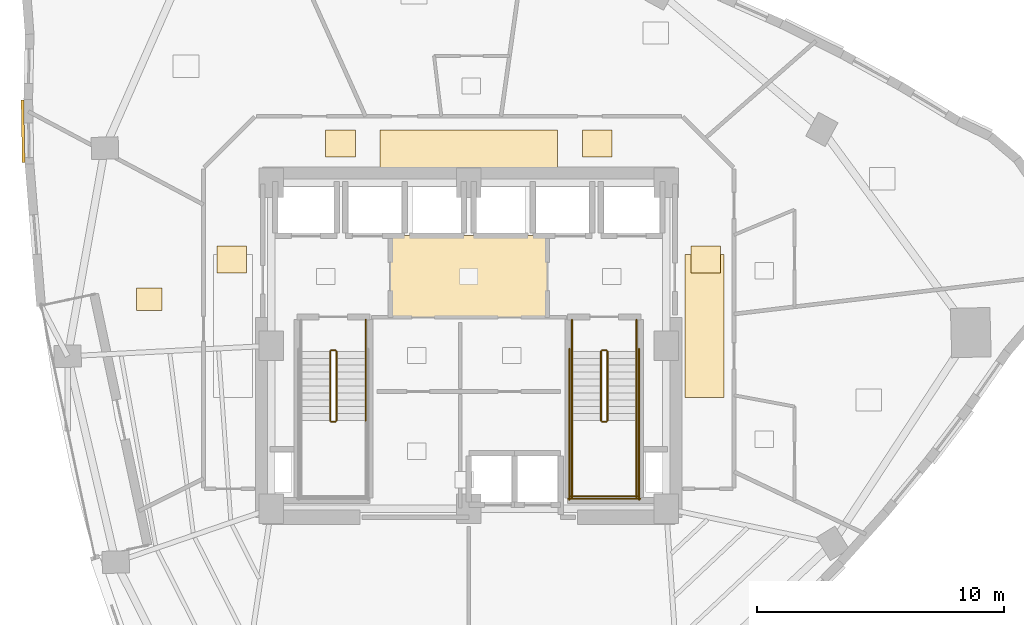
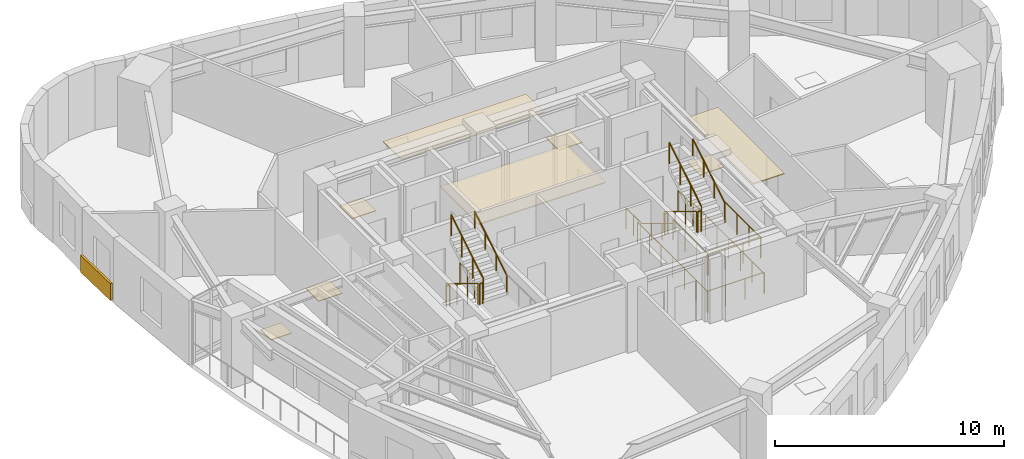
# One storey, part 11 of 12: 20 railings, 9 coverings.
"""IFC4 building model written with IfcOpenShell, lengths in metres."""

from ifc_helpers import new_model, si_unit, direction, frame, origin, origin_2d, place, context, subcontext, project, spatial, rectangle, circle, extrude, material, layer, layer_set, type_object, element, save


model = new_model("IFC4")

# Units and contexts
model_context = context("Model", 3, precision=1e-05, world=origin(), true_north=direction((0.0, 1.0)))
body_context = subcontext(model_context, "Body", "Model", "MODEL_VIEW")
ifc_project = project(units=[si_unit("LENGTHUNIT", "METRE"), si_unit("AREAUNIT", "SQUARE_METRE"), si_unit("VOLUMEUNIT", "CUBIC_METRE"), si_unit("PLANEANGLEUNIT", "RADIAN"), si_unit("MASSUNIT", "GRAM", prefix="KILO")], contexts=[model_context])

# Site, building, storey
site_placement = place(None, origin())
site = spatial("IfcSite", under=ifc_project, at=site_placement, CompositionType="ELEMENT")
building_placement = place(site_placement, origin())
building = spatial("IfcBuilding", under=site, at=building_placement, Name="Ndelora Gate Hotel", CompositionType="ELEMENT")
storey_placement = place(building_placement, frame((0.0, 0.0, 164.75)))
storey = spatial("IfcBuildingStorey", under=building, at=storey_placement, Name="L41", CompositionType="ELEMENT", Elevation=164.75)

# Coverings
ifc_material_1 = material(Name="Perforated Acoustic Gypsum Board", Category="gypsum")
ifc_layer_1 = layer(ifc_material_1, 0.054931640625)
ifc_layer_set_1 = layer_set([ifc_layer_1], Name="Perforated Acoustic Gypsum Board")
covering_type_1 = type_object("IfcCoveringType", Name="COV-CEIL-AC60", PredefinedType="CEILING", material=ifc_layer_set_1)
covering_1_placement = place(storey_placement, frame((0.0, 2.800048828125, 2.72265625), z_axis=(0.0, 0.0, 1.0), x_axis=(1.0, 0.0, 0.0)))
element("IfcCovering", 1, at=covering_1_placement, inside=storey, type_object=covering_type_1, Name="L41 Lift Lobby Acoustic Ceiling", PredefinedType="CEILING", context=body_context, shape_type="SweptSolid", body=[
    extrude(rectangle(XDim=6.39990234375, YDim=3.340087890625, at=origin_2d()), origin(), (0.0, 0.0, 1.0), 0.054931640625),
])
covering_2_placement = place(storey_placement, frame((0.0, 7.9599609375, 2.65234375), z_axis=(0.0, 0.0, 1.0), x_axis=(1.0, 0.0, 0.0)))
element("IfcCovering", 2, at=covering_2_placement, inside=storey, type_object=covering_type_1, Name="L41 Guest Corridor Acoustic Ceiling N", PredefinedType="CEILING", context=body_context, shape_type="SweptSolid", body=[
    extrude(rectangle(XDim=7.199951171875, YDim=1.580078125, at=origin_2d()), origin(), (0.0, 0.0, 1.0), 0.054931640625),
])
covering_3_placement = place(storey_placement, frame((9.550048828125, 0.800048828125, 2.65234375), z_axis=(0.0, 0.0, 1.0), x_axis=(1.0, 0.0, 0.0)))
element("IfcCovering", 3, at=covering_3_placement, inside=storey, type_object=covering_type_1, Name="L41 Guest Corridor Acoustic Ceiling E", PredefinedType="CEILING", context=body_context, shape_type="SweptSolid", body=[
    extrude(rectangle(XDim=1.580078125, YDim=5.800048828125, at=origin_2d()), origin(), (0.0, 0.0, 1.0), 0.054931640625),
])
ifc_material_2 = material(Name="Terracotta Fired Clay Brick Slip Cladding", Category="masonry")
ifc_layer_2 = layer(ifc_material_2, 0.110107421875)
ifc_layer_set_2 = layer_set([ifc_layer_2], Name="Terracotta Fired Clay Brick Slip Cladding")
covering_type_2 = type_object("IfcCoveringType", Name="COV-CLAD-BRK", PredefinedType="CLADDING", material=ifc_layer_set_2)
covering_4_placement = place(storey_placement, frame((-18.064697265625, 8.694580078125, 0.10009765625), z_axis=(0.0, 0.0, 1.0), x_axis=(-0.01797592305, 0.999838420041, 0.0)))
element("IfcCovering", 4, at=covering_4_placement, inside=storey, type_object=covering_type_2, Name="L41 Rounded-Corner Brick Cladding Band 10", PredefinedType="CLADDING", context=body_context, shape_type="SweptSolid", body=[
    extrude(rectangle(XDim=2.52001953125, YDim=0.110107421875, at=origin_2d()), origin(), (0.0, 0.0, 1.0), 0.89990234375),
])
ifc_material_3 = material(Name="Engineered Highland Oak Parquet", Category="wood")
ifc_layer_3 = layer(ifc_material_3, 0.030029296875)
ifc_layer_set_3 = layer_set([ifc_layer_3], Name="Engineered Highland Oak Parquet")
covering_type_3 = type_object("IfcCoveringType", Name="COV-FLR-PARQ", PredefinedType="FLOORING", material=ifc_layer_set_3)
covering_5_placement = place(storey_placement, frame((-12.948486328125, 1.88818359375, 0.0), z_axis=(0.0, 0.0, 1.0), x_axis=(1.0, 0.0, 0.0)))
element("IfcCovering", 5, at=covering_5_placement, inside=storey, type_object=covering_type_3, Name="L41 Sky Garden Tea Dining Room Oak Parquet Flooring", PredefinedType="FLOORING", context=body_context, shape_type="SweptSolid", body=[
    extrude(rectangle(XDim=1.050048828125, YDim=0.89990234375, at=origin_2d()), origin(), (0.0, 0.0, 1.0), 0.030029296875),
])
ifc_material_4 = material(Name="Polished Highland Stone Terrazzo", Category="masonry")
ifc_layer_4 = layer(ifc_material_4, 0.034912109375)
ifc_layer_set_4 = layer_set([ifc_layer_4], Name="Polished Highland Stone Terrazzo")
covering_type_4 = type_object("IfcCoveringType", Name="COV-FLR-TERZ", PredefinedType="FLOORING", material=ifc_layer_set_4)
for number, where, z_axis, x_axis, name in (
    (6, (-5.199951171875, 8.199951171875, 0.0), (0.0, 0.0, 1.0), (1.0, 0.0, 0.0), "L41 Corridor Threshold Terrazzo Inlay NW"),
    (7, (5.199951171875, 8.199951171875, 0.0), (0.0, 0.0, 1.0), (1.0, 0.0, 0.0), "L41 Corridor Threshold Terrazzo Inlay NE"),
    (8, (-9.60009765625, 3.5, 0.0), (0.0, 0.0, 1.0), (1.0, 0.0, 0.0), "L41 Corridor Threshold Terrazzo Inlay W"),
    (9, (9.60009765625, 3.5, 0.0), (0.0, 0.0, 1.0), (1.0, 0.0, 0.0), "L41 Corridor Threshold Terrazzo Inlay E"),
):
    element("IfcCovering", number, at=place(storey_placement, frame(where, z_axis=z_axis, x_axis=x_axis)), inside=storey, type_object=covering_type_4, Name=name, PredefinedType="FLOORING", context=body_context, shape_type="SweptSolid", body=[
        extrude(rectangle(XDim=1.199951171875, YDim=1.10009765625, at=origin_2d()), origin(), (0.0, 0.0, 1.0), 0.034912109375),
    ])

# Railings
ifc_material_5 = material(Name="Painted Galvanized Steel Balustrade", Category="steel")
ifc_layer_5 = layer(ifc_material_5, 0.06005859375)
ifc_layer_set_5 = layer_set([ifc_layer_5], Name="Painted Galvanized Steel Balustrade")
railing_type_1 = type_object("IfcRailingType", Name="RL-STAIR-GD", PredefinedType="GUARDRAIL", material=ifc_layer_set_5)
railing_1_placement = place(storey_placement, frame((-5.6201171875, -0.22998046875, 0.17041015625)))
element("IfcRailing", 10, at=railing_1_placement, inside=storey, type_object=railing_type_1, Name="L41 ST4 stair guard 1", PredefinedType="GUARDRAIL", context=body_context, shape_type="SweptSolid", body=[
    extrude(circle(Radius=0.02392578125, at=origin_2d()), frame((0.0, 0.0, 1.10595703125), z_axis=(0.0, -0.854169791009, 0.51999420009), x_axis=(1.0, 0.0, 0.0)), (0.0, 0.0, 1.0), 3.278076171875),
    extrude(circle(Radius=0.02099609375, at=origin_2d()), origin(), (0.0, 0.0, 1.0), 1.081787109375),
    extrude(circle(Radius=0.02099609375, at=origin_2d()), frame((0.0, -0.933349609375, 0.568115234375)), (0.0, 0.0, 1.0), 1.081787109375),
    extrude(circle(Radius=0.02099609375, at=origin_2d()), frame((0.0, -1.86669921875, 1.136474609375)), (0.0, 0.0, 1.0), 1.081787109375),
    extrude(circle(Radius=0.02099609375, at=origin_2d()), frame((0.0, -2.800048828125, 1.70458984375)), (0.0, 0.0, 1.0), 1.081787109375),
])
railing_2_placement = place(storey_placement, frame((-5.570068359375, -3.080078125, 1.875)))
element("IfcRailing", 11, at=railing_2_placement, inside=storey, type_object=railing_type_1, Name="L41 ST4 stair guard 2", PredefinedType="GUARDRAIL", context=body_context, shape_type="SweptSolid", body=[
    extrude(circle(Radius=0.02392578125, at=origin_2d()), frame((0.0, 0.0, 1.10595703125), z_axis=(1.0, 0.0, 0.0), x_axis=(0.0, 1.0, 0.0)), (0.0, 0.0, 1.0), 0.16015625),
    extrude(circle(Radius=0.02099609375, at=origin_2d()), origin(), (0.0, 0.0, 1.0), 1.081787109375),
    extrude(circle(Radius=0.02099609375, at=origin_2d()), frame((0.16015625, 0.0, 0.0)), (0.0, 0.0, 1.0), 1.081787109375),
])
railing_3_placement = place(storey_placement, frame((-5.360107421875, -3.030029296875, 2.04541015625)))
element("IfcRailing", 12, at=railing_3_placement, inside=storey, type_object=railing_type_1, Name="L41 ST4 stair guard 6", PredefinedType="GUARDRAIL", context=body_context, shape_type="SweptSolid", body=[
    extrude(circle(Radius=0.02392578125, at=origin_2d()), frame((0.0, 0.0, 1.10595703125), z_axis=(0.0, 0.854169791009, 0.51999420009), x_axis=(-1.0, 0.0, 0.0)), (0.0, 0.0, 1.0), 3.278076171875),
    extrude(circle(Radius=0.02099609375, at=origin_2d()), origin(), (0.0, 0.0, 1.0), 1.081787109375),
    extrude(circle(Radius=0.02099609375, at=origin_2d()), frame((0.0, 0.933349609375, 0.568115234375)), (0.0, 0.0, 1.0), 1.081787109375),
    extrude(circle(Radius=0.02099609375, at=origin_2d()), frame((0.0, 1.86669921875, 1.136474609375)), (0.0, 0.0, 1.0), 1.081787109375),
    extrude(circle(Radius=0.02099609375, at=origin_2d()), frame((0.0, 2.800048828125, 1.70458984375)), (0.0, 0.0, 1.0), 1.081787109375),
])
railing_4_placement = place(storey_placement, frame((-5.570068359375, -0.179931640625, 0.0)))
element("IfcRailing", 13, at=railing_4_placement, inside=storey, type_object=railing_type_1, Name="L41 ST4 stair guard 7", PredefinedType="GUARDRAIL", context=body_context, shape_type="SweptSolid", body=[
    extrude(circle(Radius=0.02392578125, at=origin_2d()), frame((0.0, 0.0, 1.10595703125), z_axis=(1.0, 0.0, 0.0), x_axis=(0.0, 1.0, 0.0)), (0.0, 0.0, 1.0), 0.16015625),
    extrude(circle(Radius=0.02099609375, at=origin_2d()), origin(), (0.0, 0.0, 1.0), 1.081787109375),
    extrude(circle(Radius=0.02099609375, at=origin_2d()), frame((0.16015625, 0.0, 0.0)), (0.0, 0.0, 1.0), 1.081787109375),
])
railing_5_placement = place(storey_placement, frame((-4.179931640625, 1.050048828125, 0.0)))
element("IfcRailing", 14, at=railing_5_placement, inside=storey, type_object=railing_type_1, Name="L41 ST4 stair guard 9", PredefinedType="GUARDRAIL", context=body_context, shape_type="SweptSolid", body=[
    extrude(circle(Radius=0.02392578125, at=origin_2d()), frame((0.0, 0.0, 1.10595703125), z_axis=(0.0, -1.0, 0.0), x_axis=(1.0, 0.0, 0.0)), (0.0, 0.0, 1.0), 1.280029296875),
    extrude(circle(Radius=0.02099609375, at=origin_2d()), origin(), (0.0, 0.0, 1.0), 1.081787109375),
    extrude(circle(Radius=0.02099609375, at=origin_2d()), frame((0.0, -0.64013671875, 0.0)), (0.0, 0.0, 1.0), 1.081787109375),
    extrude(circle(Radius=0.02099609375, at=origin_2d()), frame((0.0, -1.280029296875, 0.0)), (0.0, 0.0, 1.0), 1.081787109375),
])
railing_6_placement = place(storey_placement, frame((5.360107421875, -0.22998046875, 0.17041015625)))
element("IfcRailing", 15, at=railing_6_placement, inside=storey, type_object=railing_type_1, Name="L41 ST5 stair guard 1", PredefinedType="GUARDRAIL", context=body_context, shape_type="SweptSolid", body=[
    extrude(circle(Radius=0.02392578125, at=origin_2d()), frame((0.0, 0.0, 1.10595703125), z_axis=(0.0, -0.854169791009, 0.51999420009), x_axis=(1.0, 0.0, 0.0)), (0.0, 0.0, 1.0), 3.278076171875),
    extrude(circle(Radius=0.02099609375, at=origin_2d()), origin(), (0.0, 0.0, 1.0), 1.081787109375),
    extrude(circle(Radius=0.02099609375, at=origin_2d()), frame((0.0, -0.933349609375, 0.568115234375)), (0.0, 0.0, 1.0), 1.081787109375),
    extrude(circle(Radius=0.02099609375, at=origin_2d()), frame((0.0, -1.86669921875, 1.136474609375)), (0.0, 0.0, 1.0), 1.081787109375),
    extrude(circle(Radius=0.02099609375, at=origin_2d()), frame((0.0, -2.800048828125, 1.70458984375)), (0.0, 0.0, 1.0), 1.081787109375),
])
railing_7_placement = place(storey_placement, frame((5.409912109375, -3.080078125, 1.875)))
element("IfcRailing", 16, at=railing_7_placement, inside=storey, type_object=railing_type_1, Name="L41 ST5 stair guard 2", PredefinedType="GUARDRAIL", context=body_context, shape_type="SweptSolid", body=[
    extrude(circle(Radius=0.02392578125, at=origin_2d()), frame((0.0, 0.0, 1.10595703125), z_axis=(1.0, 0.0, 0.0), x_axis=(0.0, 1.0, 0.0)), (0.0, 0.0, 1.0), 0.16015625),
    extrude(circle(Radius=0.02099609375, at=origin_2d()), origin(), (0.0, 0.0, 1.0), 1.081787109375),
    extrude(circle(Radius=0.02099609375, at=origin_2d()), frame((0.16015625, 0.0, 0.0)), (0.0, 0.0, 1.0), 1.081787109375),
])
for number, where, name in (
    (17, (4.179931640625, -3.030029296875, 1.875), "L41 ST5 stair guard 3"),
    (18, (6.800048828125, -3.030029296875, 1.875), "L41 ST5 stair guard 4"),
):
    element("IfcRailing", number, at=place(storey_placement, frame(where)), inside=storey, type_object=railing_type_1, Name=name, PredefinedType="GUARDRAIL", context=body_context, shape_type="SweptSolid", body=[
        extrude(circle(Radius=0.02392578125, at=origin_2d()), frame((0.0, 0.0, 1.10595703125), z_axis=(0.0, -1.0, 0.0), x_axis=(1.0, 0.0, 0.0)), (0.0, 0.0, 1.0), 3.119873046875),
        extrude(circle(Radius=0.02099609375, at=origin_2d()), origin(), (0.0, 0.0, 1.0), 1.081787109375),
        extrude(circle(Radius=0.02099609375, at=origin_2d()), frame((0.0, -1.0400390625, 0.0)), (0.0, 0.0, 1.0), 1.081787109375),
        extrude(circle(Radius=0.02099609375, at=origin_2d()), frame((0.0, -2.079833984375, 0.0)), (0.0, 0.0, 1.0), 1.081787109375),
        extrude(circle(Radius=0.02099609375, at=origin_2d()), frame((0.0, -3.119873046875, 0.0)), (0.0, 0.0, 1.0), 1.081787109375),
    ])
railing_8_placement = place(storey_placement, frame((4.1298828125, -6.10009765625, 1.875)))
element("IfcRailing", 19, at=railing_8_placement, inside=storey, type_object=railing_type_1, Name="L41 ST5 stair guard 5", PredefinedType="GUARDRAIL", context=body_context, shape_type="SweptSolid", body=[
    extrude(circle(Radius=0.02392578125, at=origin_2d()), frame((0.0, 0.0, 1.10595703125), z_axis=(1.0, 0.0, 0.0), x_axis=(0.0, 1.0, 0.0)), (0.0, 0.0, 1.0), 2.72021484375),
    extrude(circle(Radius=0.02099609375, at=origin_2d()), origin(), (0.0, 0.0, 1.0), 1.081787109375),
    extrude(circle(Radius=0.02099609375, at=origin_2d()), frame((0.90673828125, 0.0, 0.0)), (0.0, 0.0, 1.0), 1.081787109375),
    extrude(circle(Radius=0.02099609375, at=origin_2d()), frame((1.8134765625, 0.0, 0.0)), (0.0, 0.0, 1.0), 1.081787109375),
    extrude(circle(Radius=0.02099609375, at=origin_2d()), frame((2.72021484375, 0.0, 0.0)), (0.0, 0.0, 1.0), 1.081787109375),
])
railing_9_placement = place(storey_placement, frame((5.6201171875, -3.030029296875, 2.04541015625)))
element("IfcRailing", 20, at=railing_9_placement, inside=storey, type_object=railing_type_1, Name="L41 ST5 stair guard 6", PredefinedType="GUARDRAIL", context=body_context, shape_type="SweptSolid", body=[
    extrude(circle(Radius=0.02392578125, at=origin_2d()), frame((0.0, 0.0, 1.10595703125), z_axis=(0.0, 0.854169791009, 0.51999420009), x_axis=(-1.0, 0.0, 0.0)), (0.0, 0.0, 1.0), 3.278076171875),
    extrude(circle(Radius=0.02099609375, at=origin_2d()), origin(), (0.0, 0.0, 1.0), 1.081787109375),
    extrude(circle(Radius=0.02099609375, at=origin_2d()), frame((0.0, 0.933349609375, 0.568115234375)), (0.0, 0.0, 1.0), 1.081787109375),
    extrude(circle(Radius=0.02099609375, at=origin_2d()), frame((0.0, 1.86669921875, 1.136474609375)), (0.0, 0.0, 1.0), 1.081787109375),
    extrude(circle(Radius=0.02099609375, at=origin_2d()), frame((0.0, 2.800048828125, 1.70458984375)), (0.0, 0.0, 1.0), 1.081787109375),
])
railing_10_placement = place(storey_placement, frame((5.409912109375, -0.179931640625, 0.0)))
element("IfcRailing", 21, at=railing_10_placement, inside=storey, type_object=railing_type_1, Name="L41 ST5 stair guard 7", PredefinedType="GUARDRAIL", context=body_context, shape_type="SweptSolid", body=[
    extrude(circle(Radius=0.02392578125, at=origin_2d()), frame((0.0, 0.0, 1.10595703125), z_axis=(1.0, 0.0, 0.0), x_axis=(0.0, 1.0, 0.0)), (0.0, 0.0, 1.0), 0.16015625),
    extrude(circle(Radius=0.02099609375, at=origin_2d()), origin(), (0.0, 0.0, 1.0), 1.081787109375),
    extrude(circle(Radius=0.02099609375, at=origin_2d()), frame((0.16015625, 0.0, 0.0)), (0.0, 0.0, 1.0), 1.081787109375),
])
for number, where, name in (
    (22, (4.179931640625, 1.050048828125, 0.0), "L41 ST5 stair guard 8"),
    (23, (6.800048828125, 1.050048828125, 0.0), "L41 ST5 stair guard 9"),
):
    element("IfcRailing", number, at=place(storey_placement, frame(where)), inside=storey, type_object=railing_type_1, Name=name, PredefinedType="GUARDRAIL", context=body_context, shape_type="SweptSolid", body=[
        extrude(circle(Radius=0.02392578125, at=origin_2d()), frame((0.0, 0.0, 1.10595703125), z_axis=(0.0, -1.0, 0.0), x_axis=(1.0, 0.0, 0.0)), (0.0, 0.0, 1.0), 1.280029296875),
        extrude(circle(Radius=0.02099609375, at=origin_2d()), origin(), (0.0, 0.0, 1.0), 1.081787109375),
        extrude(circle(Radius=0.02099609375, at=origin_2d()), frame((0.0, -0.64013671875, 0.0)), (0.0, 0.0, 1.0), 1.081787109375),
        extrude(circle(Radius=0.02099609375, at=origin_2d()), frame((0.0, -1.280029296875, 0.0)), (0.0, 0.0, 1.0), 1.081787109375),
    ])
for number, where, name in (
    (24, (4.080078125, -0.1298828125, 0.0), "L41 ST5 stair guard 10"),
    (25, (6.89990234375, -0.1298828125, 0.0), "L41 ST5 stair guard 11"),
):
    element("IfcRailing", number, at=place(storey_placement, frame(where)), inside=storey, type_object=railing_type_1, Name=name, PredefinedType="GUARDRAIL", context=body_context, shape_type="SweptSolid", body=[
        extrude(circle(Radius=0.02392578125, at=origin_2d()), frame((0.0, 0.0, 1.10595703125), z_axis=(0.0, -1.0, 0.0), x_axis=(1.0, 0.0, 0.0)), (0.0, 0.0, 1.0), 6.1201171875),
        extrude(circle(Radius=0.02099609375, at=origin_2d()), origin(), (0.0, 0.0, 1.0), 1.081787109375),
        extrude(circle(Radius=0.02099609375, at=origin_2d()), frame((0.0, -1.02001953125, 0.0)), (0.0, 0.0, 1.0), 1.081787109375),
        extrude(circle(Radius=0.02099609375, at=origin_2d()), frame((0.0, -2.0400390625, 0.0)), (0.0, 0.0, 1.0), 1.081787109375),
        extrude(circle(Radius=0.02099609375, at=origin_2d()), frame((0.0, -3.06005859375, 0.0)), (0.0, 0.0, 1.0), 1.081787109375),
        extrude(circle(Radius=0.02099609375, at=origin_2d()), frame((0.0, -4.080078125, 0.0)), (0.0, 0.0, 1.0), 1.081787109375),
        extrude(circle(Radius=0.02099609375, at=origin_2d()), frame((0.0, -5.10009765625, 0.0)), (0.0, 0.0, 1.0), 1.081787109375),
        extrude(circle(Radius=0.02099609375, at=origin_2d()), frame((0.0, -6.1201171875, 0.0)), (0.0, 0.0, 1.0), 1.081787109375),
    ])
railing_11_placement = place(storey_placement, frame((4.030029296875, -6.199951171875, 0.0)))
element("IfcRailing", 26, at=railing_11_placement, inside=storey, type_object=railing_type_1, Name="L41 ST5 stair guard 12", PredefinedType="GUARDRAIL", context=body_context, shape_type="SweptSolid", body=[
    extrude(circle(Radius=0.02392578125, at=origin_2d()), frame((0.0, 0.0, 1.10595703125), z_axis=(1.0, 0.0, 0.0), x_axis=(0.0, 1.0, 0.0)), (0.0, 0.0, 1.0), 2.919921875),
    extrude(circle(Radius=0.02099609375, at=origin_2d()), origin(), (0.0, 0.0, 1.0), 1.081787109375),
    extrude(circle(Radius=0.02099609375, at=origin_2d()), frame((0.973388671875, 0.0, 0.0)), (0.0, 0.0, 1.0), 1.081787109375),
    extrude(circle(Radius=0.02099609375, at=origin_2d()), frame((1.946533203125, 0.0, 0.0)), (0.0, 0.0, 1.0), 1.081787109375),
    extrude(circle(Radius=0.02099609375, at=origin_2d()), frame((2.919921875, 0.0, 0.0)), (0.0, 0.0, 1.0), 1.081787109375),
])
ifc_material_6 = material(Name="Brushed Stainless Steel 316", Category="steel")
ifc_layer_6 = layer(ifc_material_6, 0.050048828125)
ifc_layer_set_6 = layer_set([ifc_layer_6], Name="Brushed Stainless Steel 316")
railing_type_2 = type_object("IfcRailingType", Name="RL-STAIR-HR", PredefinedType="HANDRAIL", material=ifc_layer_set_6)
railing_12_placement = place(storey_placement, frame((-4.179931640625, -3.030029296875, 2.04541015625)))
element("IfcRailing", 27, at=railing_12_placement, inside=storey, type_object=railing_type_2, Name="L41 ST4 stair handrail 2", PredefinedType="HANDRAIL", context=body_context, shape_type="SweptSolid", body=[
    extrude(circle(Radius=0.02392578125, at=origin_2d()), frame((0.0, 0.0, 0.8759765625), z_axis=(0.0, 0.854169791009, 0.51999420009), x_axis=(-1.0, 0.0, 0.0)), (0.0, 0.0, 1.0), 3.278076171875),
    extrude(circle(Radius=0.02099609375, at=origin_2d()), origin(), (0.0, 0.0, 1.0), 0.851806640625),
    extrude(circle(Radius=0.02099609375, at=origin_2d()), frame((0.0, 0.933349609375, 0.568115234375)), (0.0, 0.0, 1.0), 0.851806640625),
    extrude(circle(Radius=0.02099609375, at=origin_2d()), frame((0.0, 1.86669921875, 1.136474609375)), (0.0, 0.0, 1.0), 0.851806640625),
    extrude(circle(Radius=0.02099609375, at=origin_2d()), frame((0.0, 2.800048828125, 1.70458984375)), (0.0, 0.0, 1.0), 0.851806640625),
])
railing_13_placement = place(storey_placement, frame((4.179931640625, -0.22998046875, 0.17041015625)))
element("IfcRailing", 28, at=railing_13_placement, inside=storey, type_object=railing_type_2, Name="L41 ST5 stair handrail 1", PredefinedType="HANDRAIL", context=body_context, shape_type="SweptSolid", body=[
    extrude(circle(Radius=0.02392578125, at=origin_2d()), frame((0.0, 0.0, 0.8759765625), z_axis=(0.0, -0.854169791009, 0.51999420009), x_axis=(1.0, 0.0, 0.0)), (0.0, 0.0, 1.0), 3.278076171875),
    extrude(circle(Radius=0.02099609375, at=origin_2d()), origin(), (0.0, 0.0, 1.0), 0.851806640625),
    extrude(circle(Radius=0.02099609375, at=origin_2d()), frame((0.0, -0.933349609375, 0.568115234375)), (0.0, 0.0, 1.0), 0.851806640625),
    extrude(circle(Radius=0.02099609375, at=origin_2d()), frame((0.0, -1.86669921875, 1.136474609375)), (0.0, 0.0, 1.0), 0.851806640625),
    extrude(circle(Radius=0.02099609375, at=origin_2d()), frame((0.0, -2.800048828125, 1.70458984375)), (0.0, 0.0, 1.0), 0.851806640625),
])
railing_14_placement = place(storey_placement, frame((6.800048828125, -3.030029296875, 2.04541015625)))
element("IfcRailing", 29, at=railing_14_placement, inside=storey, type_object=railing_type_2, Name="L41 ST5 stair handrail 2", PredefinedType="HANDRAIL", context=body_context, shape_type="SweptSolid", body=[
    extrude(circle(Radius=0.02392578125, at=origin_2d()), frame((0.0, 0.0, 0.8759765625), z_axis=(0.0, 0.854169791009, 0.51999420009), x_axis=(-1.0, 0.0, 0.0)), (0.0, 0.0, 1.0), 3.278076171875),
    extrude(circle(Radius=0.02099609375, at=origin_2d()), origin(), (0.0, 0.0, 1.0), 0.851806640625),
    extrude(circle(Radius=0.02099609375, at=origin_2d()), frame((0.0, 0.933349609375, 0.568115234375)), (0.0, 0.0, 1.0), 0.851806640625),
    extrude(circle(Radius=0.02099609375, at=origin_2d()), frame((0.0, 1.86669921875, 1.136474609375)), (0.0, 0.0, 1.0), 0.851806640625),
    extrude(circle(Radius=0.02099609375, at=origin_2d()), frame((0.0, 2.800048828125, 1.70458984375)), (0.0, 0.0, 1.0), 0.851806640625),
])

save(model, "model.ifc")
